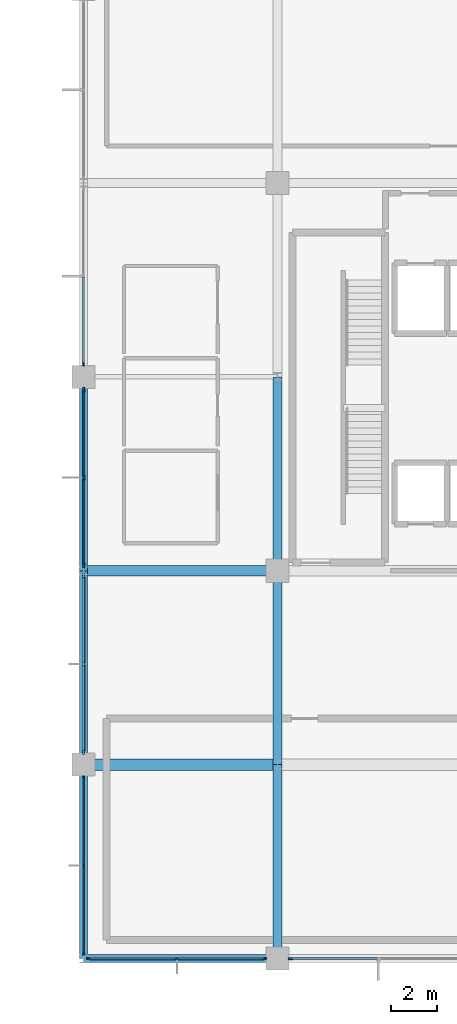
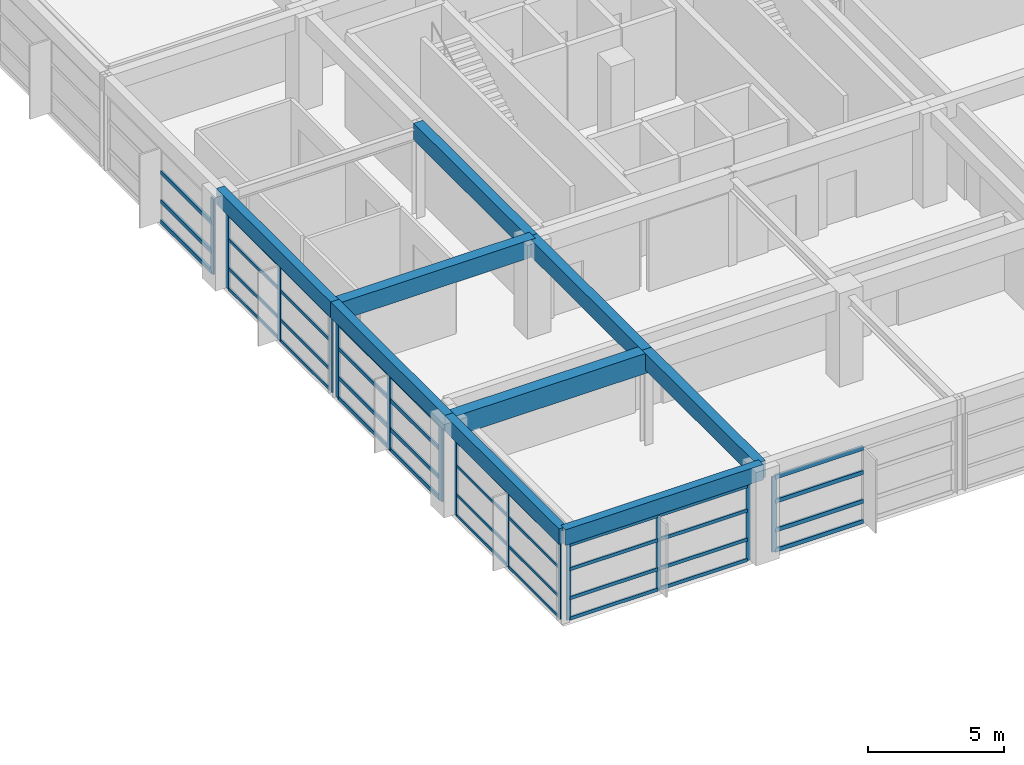
# One storey, part 18 of 32: 53 members, 9 beams, 6 elements without a shape of their own.
"""IFC4 building model written with IfcOpenShell, lengths in metres."""

from ifc_helpers import new_model, si_unit, direction, frame, origin, origin_2d, place, context, subcontext, project, spatial, rectangle, extrude, material, material_profile, profile_set, type_object, element, aggregate, save


model = new_model("IFC4")

# Units and contexts
model_context = context("Model", 3, precision=1e-05, world=origin(), true_north=direction((0.0, 1.0)))
body_context = subcontext(model_context, "Body", "Model", "MODEL_VIEW")
ifc_project = project(units=[si_unit("LENGTHUNIT", "METRE"), si_unit("AREAUNIT", "SQUARE_METRE"), si_unit("VOLUMEUNIT", "CUBIC_METRE"), si_unit("PLANEANGLEUNIT", "RADIAN"), si_unit("MASSUNIT", "GRAM", prefix="KILO")], contexts=[model_context])

# Site, building, storey
site_placement = place(None, origin())
site = spatial("IfcSite", under=ifc_project, at=site_placement, CompositionType="ELEMENT")
building_placement = place(site_placement, origin())
building = spatial("IfcBuilding", under=site, at=building_placement, Name="Xuanlan Plaza Opera House", CompositionType="ELEMENT")
storey_placement = place(building_placement, frame((0.0, 0.0, 40.5)))
storey = spatial("IfcBuildingStorey", under=building, at=storey_placement, Name="L09", CompositionType="ELEMENT", Elevation=40.5)

# Curtain wall, members
ifc_material_1 = material(Name="Anodised Aluminium 6063-T6 and Low-E Glass", Category="aluminium")
curtain_wall_type_1 = type_object("IfcCurtainWallType", Name="ENV-CW-CW-03", PredefinedType="USERDEFINED", material=ifc_material_1)
curtain_wall_1_placement = place(storey_placement, origin())
curtain_wall_1 = element("IfcCurtainWall", 1, at=curtain_wall_1_placement, inside=storey, type_object=curtain_wall_type_1, Name="Unitised Curtain Wall L09-020", ObjectType="UNITISED CURTAIN WALL", PredefinedType="USERDEFINED")
ifc_material_2 = material(Name="Anodised Aluminium 6063-T6", Category="aluminium")
ifc_material_profile_1 = material_profile(ifc_material_2, rectangle(XDim=0.06494140625, YDim=0.159912109375, at=origin_2d()), Name="ALU-M 65x160")
ifc_profile_set_1 = profile_set([ifc_material_profile_1], Name="Anodised Aluminium 6063-T6")
member_type_1 = type_object("IfcMemberType", Name="ENV-CWM-01", PredefinedType="MULLION", material=ifc_profile_set_1)
member_1_placement = place(storey_placement, frame((126.0, 41.447509765625, 0.0), z_axis=(0.0, 0.0, 1.0), x_axis=(1.0, 0.0, 0.0)))
member_1 = element("IfcMember", 2, at=member_1_placement, type_object=member_type_1, Name="CW-03 mullion 1", PredefinedType="MULLION", context=body_context, shape_type="SweptSolid", body=[
    extrude(rectangle(XDim=0.06494140625, YDim=0.159912109375, at=origin_2d()), origin(), (0.0, 0.0, 1.0), 3.3798828125),
])
member_2_placement = place(storey_placement, frame((126.0, 37.637451171875, 0.0), z_axis=(0.0, 0.0, 1.0), x_axis=(1.0, 0.0, 0.0)))
member_2 = element("IfcMember", 3, at=member_2_placement, type_object=member_type_1, Name="CW-03 mullion 2", PredefinedType="MULLION", context=body_context, shape_type="SweptSolid", body=[
    extrude(rectangle(XDim=0.06494140625, YDim=0.159912109375, at=origin_2d()), origin(), (0.0, 0.0, 1.0), 3.3798828125),
])
member_3_placement = place(storey_placement, frame((126.0, 33.827392578125, 0.0), z_axis=(0.0, 0.0, 1.0), x_axis=(1.0, 0.0, 0.0)))
member_3 = element("IfcMember", 4, at=member_3_placement, type_object=member_type_1, Name="CW-03 mullion 3", PredefinedType="MULLION", context=body_context, shape_type="SweptSolid", body=[
    extrude(rectangle(XDim=0.06494140625, YDim=0.159912109375, at=origin_2d()), origin(), (0.0, 0.0, 1.0), 3.3798828125),
])

curtain_wall_type_2 = type_object("IfcCurtainWallType", Name="ENV-CW-CW-04", PredefinedType="USERDEFINED", material=ifc_material_1)
curtain_wall_2_placement = place(storey_placement, origin())
curtain_wall_2 = element("IfcCurtainWall", 5, at=curtain_wall_2_placement, inside=storey, type_object=curtain_wall_type_2, Name="Unitised Curtain Wall L09-001", ObjectType="UNITISED CURTAIN WALL", PredefinedType="USERDEFINED")
ifc_material_profile_2 = material_profile(ifc_material_2, rectangle(XDim=0.070068359375, YDim=0.179931640625, at=origin_2d()), Name="ALU-M 70x180")
ifc_profile_set_2 = profile_set([ifc_material_profile_2], Name="Anodised Aluminium 6063-T6")
member_type_2 = type_object("IfcMemberType", Name="ENV-CWM-02", PredefinedType="MULLION", material=ifc_profile_set_2)
member_4_placement = place(storey_placement, frame((126.22998046875, 33.60009765625, 0.0), z_axis=(0.0, 0.0, 1.0), x_axis=(0.0, 1.0, 0.0)))
member_4 = element("IfcMember", 6, at=member_4_placement, type_object=member_type_2, Name="CW-04 mullion 1", PredefinedType="MULLION", context=body_context, shape_type="SweptSolid", body=[
    extrude(rectangle(XDim=0.070068359375, YDim=0.179931640625, at=origin_2d()), origin(), (0.0, 0.0, 1.0), 3.3798828125),
])
member_5_placement = place(storey_placement, frame((130.03759765625, 33.60009765625, 0.0), z_axis=(0.0, 0.0, 1.0), x_axis=(0.0, 1.0, 0.0)))
member_5 = element("IfcMember", 7, at=member_5_placement, type_object=member_type_2, Name="CW-04 mullion 2", PredefinedType="MULLION", context=body_context, shape_type="SweptSolid", body=[
    extrude(rectangle(XDim=0.070068359375, YDim=0.179931640625, at=origin_2d()), origin(), (0.0, 0.0, 1.0), 3.3798828125),
])
member_6_placement = place(storey_placement, frame((133.844970703125, 33.60009765625, 0.0), z_axis=(0.0, 0.0, 1.0), x_axis=(0.0, 1.0, 0.0)))
member_6 = element("IfcMember", 8, at=member_6_placement, type_object=member_type_2, Name="CW-04 mullion 3", PredefinedType="MULLION", context=body_context, shape_type="SweptSolid", body=[
    extrude(rectangle(XDim=0.070068359375, YDim=0.179931640625, at=origin_2d()), origin(), (0.0, 0.0, 1.0), 3.3798828125),
])

# Curtain wall, member
curtain_wall_type_3 = type_object("IfcCurtainWallType", Name="ENV-CW-CW-01", PredefinedType="USERDEFINED", material=ifc_material_1)
curtain_wall_3_placement = place(storey_placement, origin())
curtain_wall_3 = element("IfcCurtainWall", 9, at=curtain_wall_3_placement, inside=storey, type_object=curtain_wall_type_3, Name="Unitised Curtain Wall L09-002", ObjectType="UNITISED CURTAIN WALL", PredefinedType="USERDEFINED")
ifc_material_profile_3 = material_profile(ifc_material_2, rectangle(XDim=0.074951171875, YDim=0.199951171875, at=origin_2d()), Name="ALU-M 75x200")
ifc_profile_set_3 = profile_set([ifc_material_profile_3], Name="Anodised Aluminium 6063-T6")
member_type_3 = type_object("IfcMemberType", Name="ENV-CWM-03", PredefinedType="MULLION", material=ifc_profile_set_3)
member_7_placement = place(storey_placement, frame((134.95751953125, 33.60009765625, 0.0), z_axis=(0.0, 0.0, 1.0), x_axis=(0.0, 1.0, 0.0)))
member_7 = element("IfcMember", 10, at=member_7_placement, type_object=member_type_3, Name="CW-01 mullion 1", PredefinedType="MULLION", context=body_context, shape_type="SweptSolid", body=[
    extrude(rectangle(XDim=0.074951171875, YDim=0.199951171875, at=origin_2d()), origin(), (0.0, 0.0, 1.0), 3.3798828125),
])

curtain_wall_4_placement = place(storey_placement, origin())
curtain_wall_4 = element("IfcCurtainWall", 11, at=curtain_wall_4_placement, inside=storey, type_object=curtain_wall_type_2, Name="Unitised Curtain Wall L09-017", ObjectType="UNITISED CURTAIN WALL", PredefinedType="USERDEFINED")
member_8_placement = place(storey_placement, frame((126.0, 59.357421875, 0.0), z_axis=(0.0, 0.0, 1.0), x_axis=(1.0, 0.0, 0.0)))
member_8 = element("IfcMember", 12, at=member_8_placement, type_object=member_type_3, Name="CW-04 mullion 3", PredefinedType="MULLION", context=body_context, shape_type="SweptSolid", body=[
    extrude(rectangle(XDim=0.074951171875, YDim=0.199951171875, at=origin_2d()), origin(), (0.0, 0.0, 1.0), 3.3798828125),
])

# Curtain wall, members
curtain_wall_5_placement = place(storey_placement, origin())
curtain_wall_5 = element("IfcCurtainWall", 13, at=curtain_wall_5_placement, inside=storey, type_object=curtain_wall_type_3, Name="Unitised Curtain Wall L09-018", ObjectType="UNITISED CURTAIN WALL", PredefinedType="USERDEFINED")
ifc_material_profile_4 = material_profile(ifc_material_2, rectangle(XDim=0.080078125, YDim=0.219970703125, at=origin_2d()), Name="ALU-M 80x220")
ifc_profile_set_4 = profile_set([ifc_material_profile_4], Name="Anodised Aluminium 6063-T6")
member_type_4 = type_object("IfcMemberType", Name="ENV-CWM-04", PredefinedType="MULLION", material=ifc_profile_set_4)
member_9_placement = place(storey_placement, frame((126.0, 58.239990234375, 0.0), z_axis=(0.0, 0.0, 1.0), x_axis=(1.0, 0.0, 0.0)))
member_9 = element("IfcMember", 14, at=member_9_placement, type_object=member_type_4, Name="CW-01 mullion 1", PredefinedType="MULLION", context=body_context, shape_type="SweptSolid", body=[
    extrude(rectangle(XDim=0.080078125, YDim=0.219970703125, at=origin_2d()), origin(), (0.0, 0.0, 1.0), 3.3798828125),
])
member_10_placement = place(storey_placement, frame((126.0, 54.4375, 0.0), z_axis=(0.0, 0.0, 1.0), x_axis=(1.0, 0.0, 0.0)))
member_10 = element("IfcMember", 15, at=member_10_placement, type_object=member_type_4, Name="CW-01 mullion 2", PredefinedType="MULLION", context=body_context, shape_type="SweptSolid", body=[
    extrude(rectangle(XDim=0.080078125, YDim=0.219970703125, at=origin_2d()), origin(), (0.0, 0.0, 1.0), 3.3798828125),
])
member_11_placement = place(storey_placement, frame((126.0, 50.635009765625, 0.0), z_axis=(0.0, 0.0, 1.0), x_axis=(1.0, 0.0, 0.0)))
member_11 = element("IfcMember", 16, at=member_11_placement, type_object=member_type_4, Name="CW-01 mullion 3", PredefinedType="MULLION", context=body_context, shape_type="SweptSolid", body=[
    extrude(rectangle(XDim=0.080078125, YDim=0.219970703125, at=origin_2d()), origin(), (0.0, 0.0, 1.0), 3.3798828125),
])

curtain_wall_type_4 = type_object("IfcCurtainWallType", Name="ENV-CW-CW-02", PredefinedType="USERDEFINED", material=ifc_material_1)
curtain_wall_6_placement = place(storey_placement, origin())
curtain_wall_6 = element("IfcCurtainWall", 17, at=curtain_wall_6_placement, inside=storey, type_object=curtain_wall_type_4, Name="Unitised Curtain Wall L09-019", ObjectType="UNITISED CURTAIN WALL", PredefinedType="USERDEFINED")
ifc_material_profile_5 = material_profile(ifc_material_2, rectangle(XDim=0.090087890625, YDim=0.25, at=origin_2d()), Name="ALU-M 90x250")
ifc_profile_set_5 = profile_set([ifc_material_profile_5], Name="Anodised Aluminium 6063-T6")
member_type_5 = type_object("IfcMemberType", Name="ENV-CWM-05", PredefinedType="MULLION", material=ifc_profile_set_5)
member_12_placement = place(storey_placement, frame((126.0, 50.159912109375, 0.0), z_axis=(0.0, 0.0, 1.0), x_axis=(1.0, 0.0, 0.0)))
member_12 = element("IfcMember", 18, at=member_12_placement, type_object=member_type_5, Name="CW-02 mullion 1", PredefinedType="MULLION", context=body_context, shape_type="SweptSolid", body=[
    extrude(rectangle(XDim=0.090087890625, YDim=0.25, at=origin_2d()), origin(), (0.0, 0.0, 1.0), 3.3798828125),
])
member_13_placement = place(storey_placement, frame((126.0, 46.362548828125, 0.0), z_axis=(0.0, 0.0, 1.0), x_axis=(1.0, 0.0, 0.0)))
member_13 = element("IfcMember", 19, at=member_13_placement, type_object=member_type_5, Name="CW-02 mullion 2", PredefinedType="MULLION", context=body_context, shape_type="SweptSolid", body=[
    extrude(rectangle(XDim=0.090087890625, YDim=0.25, at=origin_2d()), origin(), (0.0, 0.0, 1.0), 3.3798828125),
])
member_14_placement = place(storey_placement, frame((126.0, 42.56494140625, 0.0), z_axis=(0.0, 0.0, 1.0), x_axis=(1.0, 0.0, 0.0)))
member_14 = element("IfcMember", 20, at=member_14_placement, type_object=member_type_5, Name="CW-02 mullion 3", PredefinedType="MULLION", context=body_context, shape_type="SweptSolid", body=[
    extrude(rectangle(XDim=0.090087890625, YDim=0.25, at=origin_2d()), origin(), (0.0, 0.0, 1.0), 3.3798828125),
])

# Member
ifc_material_profile_6 = material_profile(ifc_material_2, rectangle(XDim=0.06494140625, YDim=0.1201171875, at=origin_2d()), Name="ALU-T 65x120")
ifc_profile_set_6 = profile_set([ifc_material_profile_6], Name="Anodised Aluminium 6063-T6")
member_type_6 = type_object("IfcMemberType", Name="ENV-CWT-01", PredefinedType="USERDEFINED", material=ifc_profile_set_6)
member_15_placement = place(storey_placement, frame((126.0, 41.4150390625, 0.032470703125), z_axis=(0.0, -1.0, 0.0), x_axis=(1.0, 0.0, 0.0)))
member_15 = element("IfcMember", 21, at=member_15_placement, type_object=member_type_6, Name="CW-03 transom 1.1", ObjectType="TRANSOM", PredefinedType="USERDEFINED", context=body_context, shape_type="SweptSolid", body=[
    extrude(rectangle(XDim=0.06494140625, YDim=0.1201171875, at=origin_2d()), origin(), (0.0, 0.0, 1.0), 3.7451171875),
])

member_16_placement = place(storey_placement, frame((126.0, 41.4150390625, 0.949951171875), z_axis=(0.0, -1.0, 0.0), x_axis=(1.0, 0.0, 0.0)))
member_16 = element("IfcMember", 22, at=member_16_placement, type_object=member_type_6, Name="CW-03 transom 1.2", ObjectType="TRANSOM", PredefinedType="USERDEFINED", context=body_context, shape_type="SweptSolid", body=[
    extrude(rectangle(XDim=0.06494140625, YDim=0.1201171875, at=origin_2d()), origin(), (0.0, 0.0, 1.0), 3.7451171875),
])

member_17_placement = place(storey_placement, frame((126.0, 41.4150390625, 2.25), z_axis=(0.0, -1.0, 0.0), x_axis=(1.0, 0.0, 0.0)))
member_17 = element("IfcMember", 23, at=member_17_placement, type_object=member_type_6, Name="CW-03 transom 1.3", ObjectType="TRANSOM", PredefinedType="USERDEFINED", context=body_context, shape_type="SweptSolid", body=[
    extrude(rectangle(XDim=0.06494140625, YDim=0.1201171875, at=origin_2d()), origin(), (0.0, 0.0, 1.0), 3.7451171875),
])

member_18_placement = place(storey_placement, frame((126.0, 41.4150390625, 3.347412109375), z_axis=(0.0, -1.0, 0.0), x_axis=(1.0, 0.0, 0.0)))
member_18 = element("IfcMember", 24, at=member_18_placement, type_object=member_type_6, Name="CW-03 transom 1.4", ObjectType="TRANSOM", PredefinedType="USERDEFINED", context=body_context, shape_type="SweptSolid", body=[
    extrude(rectangle(XDim=0.06494140625, YDim=0.1201171875, at=origin_2d()), origin(), (0.0, 0.0, 1.0), 3.7451171875),
])

member_19_placement = place(storey_placement, frame((126.0, 37.60498046875, 0.032470703125), z_axis=(0.0, -1.0, 0.0), x_axis=(1.0, 0.0, 0.0)))
member_19 = element("IfcMember", 25, at=member_19_placement, type_object=member_type_6, Name="CW-03 transom 2.1", ObjectType="TRANSOM", PredefinedType="USERDEFINED", context=body_context, shape_type="SweptSolid", body=[
    extrude(rectangle(XDim=0.06494140625, YDim=0.1201171875, at=origin_2d()), origin(), (0.0, 0.0, 1.0), 3.744873046875),
])

member_20_placement = place(storey_placement, frame((126.0, 37.60498046875, 0.949951171875), z_axis=(0.0, -1.0, 0.0), x_axis=(1.0, 0.0, 0.0)))
member_20 = element("IfcMember", 26, at=member_20_placement, type_object=member_type_6, Name="CW-03 transom 2.2", ObjectType="TRANSOM", PredefinedType="USERDEFINED", context=body_context, shape_type="SweptSolid", body=[
    extrude(rectangle(XDim=0.06494140625, YDim=0.1201171875, at=origin_2d()), origin(), (0.0, 0.0, 1.0), 3.744873046875),
])

member_21_placement = place(storey_placement, frame((126.0, 37.60498046875, 2.25), z_axis=(0.0, -1.0, 0.0), x_axis=(1.0, 0.0, 0.0)))
member_21 = element("IfcMember", 27, at=member_21_placement, type_object=member_type_6, Name="CW-03 transom 2.3", ObjectType="TRANSOM", PredefinedType="USERDEFINED", context=body_context, shape_type="SweptSolid", body=[
    extrude(rectangle(XDim=0.06494140625, YDim=0.1201171875, at=origin_2d()), origin(), (0.0, 0.0, 1.0), 3.744873046875),
])

member_22_placement = place(storey_placement, frame((126.0, 37.60498046875, 3.347412109375), z_axis=(0.0, -1.0, 0.0), x_axis=(1.0, 0.0, 0.0)))
member_22 = element("IfcMember", 28, at=member_22_placement, type_object=member_type_6, Name="CW-03 transom 2.4", ObjectType="TRANSOM", PredefinedType="USERDEFINED", context=body_context, shape_type="SweptSolid", body=[
    extrude(rectangle(XDim=0.06494140625, YDim=0.1201171875, at=origin_2d()), origin(), (0.0, 0.0, 1.0), 3.744873046875),
])

aggregate(curtain_wall_1, [member_1, member_2, member_3, member_15, member_16, member_17, member_18, member_19, member_20, member_21, member_22])

ifc_material_profile_7 = material_profile(ifc_material_2, rectangle(XDim=0.070068359375, YDim=0.135009765625, at=origin_2d()), Name="ALU-T 70x135")
ifc_profile_set_7 = profile_set([ifc_material_profile_7], Name="Anodised Aluminium 6063-T6")
member_type_7 = type_object("IfcMemberType", Name="ENV-CWT-02", PredefinedType="USERDEFINED", material=ifc_profile_set_7)
member_23_placement = place(storey_placement, frame((126.0, 58.199951171875, 0.034912109375), z_axis=(0.0, -1.0, 0.0), x_axis=(1.0, 0.0, 0.0)))
member_23 = element("IfcMember", 29, at=member_23_placement, type_object=member_type_7, Name="CW-01 transom 1.1", ObjectType="TRANSOM", PredefinedType="USERDEFINED", context=body_context, shape_type="SweptSolid", body=[
    extrude(rectangle(XDim=0.070068359375, YDim=0.135009765625, at=origin_2d()), origin(), (0.0, 0.0, 1.0), 3.722412109375),
])

member_24_placement = place(storey_placement, frame((126.0, 58.199951171875, 0.949951171875), z_axis=(0.0, -1.0, 0.0), x_axis=(1.0, 0.0, 0.0)))
member_24 = element("IfcMember", 30, at=member_24_placement, type_object=member_type_7, Name="CW-01 transom 1.2", ObjectType="TRANSOM", PredefinedType="USERDEFINED", context=body_context, shape_type="SweptSolid", body=[
    extrude(rectangle(XDim=0.070068359375, YDim=0.135009765625, at=origin_2d()), origin(), (0.0, 0.0, 1.0), 3.722412109375),
])

member_25_placement = place(storey_placement, frame((126.0, 58.199951171875, 2.25), z_axis=(0.0, -1.0, 0.0), x_axis=(1.0, 0.0, 0.0)))
member_25 = element("IfcMember", 31, at=member_25_placement, type_object=member_type_7, Name="CW-01 transom 1.3", ObjectType="TRANSOM", PredefinedType="USERDEFINED", context=body_context, shape_type="SweptSolid", body=[
    extrude(rectangle(XDim=0.070068359375, YDim=0.135009765625, at=origin_2d()), origin(), (0.0, 0.0, 1.0), 3.722412109375),
])

member_26_placement = place(storey_placement, frame((126.0, 58.199951171875, 3.344970703125), z_axis=(0.0, -1.0, 0.0), x_axis=(1.0, 0.0, 0.0)))
member_26 = element("IfcMember", 32, at=member_26_placement, type_object=member_type_7, Name="CW-01 transom 1.4", ObjectType="TRANSOM", PredefinedType="USERDEFINED", context=body_context, shape_type="SweptSolid", body=[
    extrude(rectangle(XDim=0.070068359375, YDim=0.135009765625, at=origin_2d()), origin(), (0.0, 0.0, 1.0), 3.722412109375),
])

member_27_placement = place(storey_placement, frame((126.0, 54.3974609375, 0.034912109375), z_axis=(0.0, -1.0, 0.0), x_axis=(1.0, 0.0, 0.0)))
member_27 = element("IfcMember", 33, at=member_27_placement, type_object=member_type_7, Name="CW-01 transom 2.1", ObjectType="TRANSOM", PredefinedType="USERDEFINED", context=body_context, shape_type="SweptSolid", body=[
    extrude(rectangle(XDim=0.070068359375, YDim=0.135009765625, at=origin_2d()), origin(), (0.0, 0.0, 1.0), 3.722412109375),
])

member_28_placement = place(storey_placement, frame((126.0, 54.3974609375, 0.949951171875), z_axis=(0.0, -1.0, 0.0), x_axis=(1.0, 0.0, 0.0)))
member_28 = element("IfcMember", 34, at=member_28_placement, type_object=member_type_7, Name="CW-01 transom 2.2", ObjectType="TRANSOM", PredefinedType="USERDEFINED", context=body_context, shape_type="SweptSolid", body=[
    extrude(rectangle(XDim=0.070068359375, YDim=0.135009765625, at=origin_2d()), origin(), (0.0, 0.0, 1.0), 3.722412109375),
])

member_29_placement = place(storey_placement, frame((126.0, 54.3974609375, 2.25), z_axis=(0.0, -1.0, 0.0), x_axis=(1.0, 0.0, 0.0)))
member_29 = element("IfcMember", 35, at=member_29_placement, type_object=member_type_7, Name="CW-01 transom 2.3", ObjectType="TRANSOM", PredefinedType="USERDEFINED", context=body_context, shape_type="SweptSolid", body=[
    extrude(rectangle(XDim=0.070068359375, YDim=0.135009765625, at=origin_2d()), origin(), (0.0, 0.0, 1.0), 3.722412109375),
])

member_30_placement = place(storey_placement, frame((126.0, 54.3974609375, 3.344970703125), z_axis=(0.0, -1.0, 0.0), x_axis=(1.0, 0.0, 0.0)))
member_30 = element("IfcMember", 36, at=member_30_placement, type_object=member_type_7, Name="CW-01 transom 2.4", ObjectType="TRANSOM", PredefinedType="USERDEFINED", context=body_context, shape_type="SweptSolid", body=[
    extrude(rectangle(XDim=0.070068359375, YDim=0.135009765625, at=origin_2d()), origin(), (0.0, 0.0, 1.0), 3.722412109375),
])

aggregate(curtain_wall_5, [member_9, member_10, member_11, member_23, member_24, member_25, member_26, member_27, member_28, member_29, member_30])

ifc_material_profile_8 = material_profile(ifc_material_2, rectangle(XDim=0.074951171875, YDim=0.14990234375, at=origin_2d()), Name="ALU-T 75x150")
ifc_profile_set_8 = profile_set([ifc_material_profile_8], Name="Anodised Aluminium 6063-T6")
member_type_8 = type_object("IfcMemberType", Name="ENV-CWT-03", PredefinedType="USERDEFINED", material=ifc_profile_set_8)
member_31_placement = place(storey_placement, frame((126.264892578125, 33.60009765625, 0.03759765625), z_axis=(1.0, 0.0, 0.0), x_axis=(0.0, 1.0, 0.0)))
member_31 = element("IfcMember", 37, at=member_31_placement, type_object=member_type_8, Name="CW-04 transom 1.1", ObjectType="TRANSOM", PredefinedType="USERDEFINED", context=body_context, shape_type="SweptSolid", body=[
    extrude(rectangle(XDim=0.074951171875, YDim=0.14990234375, at=origin_2d()), origin(), (0.0, 0.0, 1.0), 3.737548828125),
])

member_32_placement = place(storey_placement, frame((126.264892578125, 33.60009765625, 0.949951171875), z_axis=(1.0, 0.0, 0.0), x_axis=(0.0, 1.0, 0.0)))
member_32 = element("IfcMember", 38, at=member_32_placement, type_object=member_type_8, Name="CW-04 transom 1.2", ObjectType="TRANSOM", PredefinedType="USERDEFINED", context=body_context, shape_type="SweptSolid", body=[
    extrude(rectangle(XDim=0.074951171875, YDim=0.14990234375, at=origin_2d()), origin(), (0.0, 0.0, 1.0), 3.737548828125),
])

member_33_placement = place(storey_placement, frame((126.264892578125, 33.60009765625, 2.25), z_axis=(1.0, 0.0, 0.0), x_axis=(0.0, 1.0, 0.0)))
member_33 = element("IfcMember", 39, at=member_33_placement, type_object=member_type_8, Name="CW-04 transom 1.3", ObjectType="TRANSOM", PredefinedType="USERDEFINED", context=body_context, shape_type="SweptSolid", body=[
    extrude(rectangle(XDim=0.074951171875, YDim=0.14990234375, at=origin_2d()), origin(), (0.0, 0.0, 1.0), 3.737548828125),
])

member_34_placement = place(storey_placement, frame((126.264892578125, 33.60009765625, 3.342529296875), z_axis=(1.0, 0.0, 0.0), x_axis=(0.0, 1.0, 0.0)))
member_34 = element("IfcMember", 40, at=member_34_placement, type_object=member_type_8, Name="CW-04 transom 1.4", ObjectType="TRANSOM", PredefinedType="USERDEFINED", context=body_context, shape_type="SweptSolid", body=[
    extrude(rectangle(XDim=0.074951171875, YDim=0.14990234375, at=origin_2d()), origin(), (0.0, 0.0, 1.0), 3.737548828125),
])

member_35_placement = place(storey_placement, frame((130.072509765625, 33.60009765625, 0.03759765625), z_axis=(1.0, 0.0, 0.0), x_axis=(0.0, 1.0, 0.0)))
member_35 = element("IfcMember", 41, at=member_35_placement, type_object=member_type_8, Name="CW-04 transom 2.1", ObjectType="TRANSOM", PredefinedType="USERDEFINED", context=body_context, shape_type="SweptSolid", body=[
    extrude(rectangle(XDim=0.074951171875, YDim=0.14990234375, at=origin_2d()), origin(), (0.0, 0.0, 1.0), 3.737548828125),
])

member_36_placement = place(storey_placement, frame((130.072509765625, 33.60009765625, 0.949951171875), z_axis=(1.0, 0.0, 0.0), x_axis=(0.0, 1.0, 0.0)))
member_36 = element("IfcMember", 42, at=member_36_placement, type_object=member_type_8, Name="CW-04 transom 2.2", ObjectType="TRANSOM", PredefinedType="USERDEFINED", context=body_context, shape_type="SweptSolid", body=[
    extrude(rectangle(XDim=0.074951171875, YDim=0.14990234375, at=origin_2d()), origin(), (0.0, 0.0, 1.0), 3.737548828125),
])

member_37_placement = place(storey_placement, frame((130.072509765625, 33.60009765625, 2.25), z_axis=(1.0, 0.0, 0.0), x_axis=(0.0, 1.0, 0.0)))
member_37 = element("IfcMember", 43, at=member_37_placement, type_object=member_type_8, Name="CW-04 transom 2.3", ObjectType="TRANSOM", PredefinedType="USERDEFINED", context=body_context, shape_type="SweptSolid", body=[
    extrude(rectangle(XDim=0.074951171875, YDim=0.14990234375, at=origin_2d()), origin(), (0.0, 0.0, 1.0), 3.737548828125),
])

member_38_placement = place(storey_placement, frame((130.072509765625, 33.60009765625, 3.342529296875), z_axis=(1.0, 0.0, 0.0), x_axis=(0.0, 1.0, 0.0)))
member_38 = element("IfcMember", 44, at=member_38_placement, type_object=member_type_8, Name="CW-04 transom 2.4", ObjectType="TRANSOM", PredefinedType="USERDEFINED", context=body_context, shape_type="SweptSolid", body=[
    extrude(rectangle(XDim=0.074951171875, YDim=0.14990234375, at=origin_2d()), origin(), (0.0, 0.0, 1.0), 3.737548828125),
])

aggregate(curtain_wall_2, [member_4, member_5, member_6, member_31, member_32, member_33, member_34, member_35, member_36, member_37, member_38])

ifc_material_profile_9 = material_profile(ifc_material_2, rectangle(XDim=0.080078125, YDim=0.1650390625, at=origin_2d()), Name="ALU-T 80x165")
ifc_profile_set_9 = profile_set([ifc_material_profile_9], Name="Anodised Aluminium 6063-T6")
member_type_9 = type_object("IfcMemberType", Name="ENV-CWT-04", PredefinedType="USERDEFINED", material=ifc_profile_set_9)
member_39_placement = place(storey_placement, frame((126.0, 50.114990234375, 0.0400390625), z_axis=(0.0, -1.0, 0.0), x_axis=(1.0, 0.0, 0.0)))
member_39 = element("IfcMember", 45, at=member_39_placement, type_object=member_type_9, Name="CW-02 transom 1.1", ObjectType="TRANSOM", PredefinedType="USERDEFINED", context=body_context, shape_type="SweptSolid", body=[
    extrude(rectangle(XDim=0.080078125, YDim=0.1650390625, at=origin_2d()), origin(), (0.0, 0.0, 1.0), 3.70751953125),
])

member_40_placement = place(storey_placement, frame((126.0, 50.114990234375, 0.949951171875), z_axis=(0.0, -1.0, 0.0), x_axis=(1.0, 0.0, 0.0)))
member_40 = element("IfcMember", 46, at=member_40_placement, type_object=member_type_9, Name="CW-02 transom 1.2", ObjectType="TRANSOM", PredefinedType="USERDEFINED", context=body_context, shape_type="SweptSolid", body=[
    extrude(rectangle(XDim=0.080078125, YDim=0.1650390625, at=origin_2d()), origin(), (0.0, 0.0, 1.0), 3.70751953125),
])

member_41_placement = place(storey_placement, frame((126.0, 50.114990234375, 2.25), z_axis=(0.0, -1.0, 0.0), x_axis=(1.0, 0.0, 0.0)))
member_41 = element("IfcMember", 47, at=member_41_placement, type_object=member_type_9, Name="CW-02 transom 1.3", ObjectType="TRANSOM", PredefinedType="USERDEFINED", context=body_context, shape_type="SweptSolid", body=[
    extrude(rectangle(XDim=0.080078125, YDim=0.1650390625, at=origin_2d()), origin(), (0.0, 0.0, 1.0), 3.70751953125),
])

member_42_placement = place(storey_placement, frame((126.0, 50.114990234375, 3.340087890625), z_axis=(0.0, -1.0, 0.0), x_axis=(1.0, 0.0, 0.0)))
member_42 = element("IfcMember", 48, at=member_42_placement, type_object=member_type_9, Name="CW-02 transom 1.4", ObjectType="TRANSOM", PredefinedType="USERDEFINED", context=body_context, shape_type="SweptSolid", body=[
    extrude(rectangle(XDim=0.080078125, YDim=0.1650390625, at=origin_2d()), origin(), (0.0, 0.0, 1.0), 3.70751953125),
])

member_43_placement = place(storey_placement, frame((126.0, 46.3173828125, 0.0400390625), z_axis=(0.0, -1.0, 0.0), x_axis=(1.0, 0.0, 0.0)))
member_43 = element("IfcMember", 49, at=member_43_placement, type_object=member_type_9, Name="CW-02 transom 2.1", ObjectType="TRANSOM", PredefinedType="USERDEFINED", context=body_context, shape_type="SweptSolid", body=[
    extrude(rectangle(XDim=0.080078125, YDim=0.1650390625, at=origin_2d()), origin(), (0.0, 0.0, 1.0), 3.707275390625),
])

member_44_placement = place(storey_placement, frame((126.0, 46.3173828125, 0.949951171875), z_axis=(0.0, -1.0, 0.0), x_axis=(1.0, 0.0, 0.0)))
member_44 = element("IfcMember", 50, at=member_44_placement, type_object=member_type_9, Name="CW-02 transom 2.2", ObjectType="TRANSOM", PredefinedType="USERDEFINED", context=body_context, shape_type="SweptSolid", body=[
    extrude(rectangle(XDim=0.080078125, YDim=0.1650390625, at=origin_2d()), origin(), (0.0, 0.0, 1.0), 3.707275390625),
])

member_45_placement = place(storey_placement, frame((126.0, 46.3173828125, 2.25), z_axis=(0.0, -1.0, 0.0), x_axis=(1.0, 0.0, 0.0)))
member_45 = element("IfcMember", 51, at=member_45_placement, type_object=member_type_9, Name="CW-02 transom 2.3", ObjectType="TRANSOM", PredefinedType="USERDEFINED", context=body_context, shape_type="SweptSolid", body=[
    extrude(rectangle(XDim=0.080078125, YDim=0.1650390625, at=origin_2d()), origin(), (0.0, 0.0, 1.0), 3.707275390625),
])

member_46_placement = place(storey_placement, frame((126.0, 46.3173828125, 3.340087890625), z_axis=(0.0, -1.0, 0.0), x_axis=(1.0, 0.0, 0.0)))
member_46 = element("IfcMember", 52, at=member_46_placement, type_object=member_type_9, Name="CW-02 transom 2.4", ObjectType="TRANSOM", PredefinedType="USERDEFINED", context=body_context, shape_type="SweptSolid", body=[
    extrude(rectangle(XDim=0.080078125, YDim=0.1650390625, at=origin_2d()), origin(), (0.0, 0.0, 1.0), 3.707275390625),
])

aggregate(curtain_wall_6, [member_12, member_13, member_14, member_39, member_40, member_41, member_42, member_43, member_44, member_45, member_46])

ifc_material_profile_10 = material_profile(ifc_material_2, rectangle(XDim=0.090087890625, YDim=0.179931640625, at=origin_2d()), Name="ALU-T 90x180")
ifc_profile_set_10 = profile_set([ifc_material_profile_10], Name="Anodised Aluminium 6063-T6")
member_type_10 = type_object("IfcMemberType", Name="ENV-CWT-05", PredefinedType="USERDEFINED", material=ifc_profile_set_10)
member_47_placement = place(storey_placement, frame((134.9951171875, 33.60009765625, 0.044921875), z_axis=(1.0, 0.0, 0.0), x_axis=(0.0, 1.0, 0.0)))
member_47 = element("IfcMember", 53, at=member_47_placement, type_object=member_type_10, Name="CW-01 transom 1.1", ObjectType="TRANSOM", PredefinedType="USERDEFINED", context=body_context, shape_type="SweptSolid", body=[
    extrude(rectangle(XDim=0.090087890625, YDim=0.179931640625, at=origin_2d()), origin(), (0.0, 0.0, 1.0), 3.72998046875),
])

member_48_placement = place(storey_placement, frame((134.9951171875, 33.60009765625, 0.949951171875), z_axis=(1.0, 0.0, 0.0), x_axis=(0.0, 1.0, 0.0)))
member_48 = element("IfcMember", 54, at=member_48_placement, type_object=member_type_10, Name="CW-01 transom 1.2", ObjectType="TRANSOM", PredefinedType="USERDEFINED", context=body_context, shape_type="SweptSolid", body=[
    extrude(rectangle(XDim=0.090087890625, YDim=0.179931640625, at=origin_2d()), origin(), (0.0, 0.0, 1.0), 3.72998046875),
])

member_49_placement = place(storey_placement, frame((134.9951171875, 33.60009765625, 2.25), z_axis=(1.0, 0.0, 0.0), x_axis=(0.0, 1.0, 0.0)))
member_49 = element("IfcMember", 55, at=member_49_placement, type_object=member_type_10, Name="CW-01 transom 1.3", ObjectType="TRANSOM", PredefinedType="USERDEFINED", context=body_context, shape_type="SweptSolid", body=[
    extrude(rectangle(XDim=0.090087890625, YDim=0.179931640625, at=origin_2d()), origin(), (0.0, 0.0, 1.0), 3.72998046875),
])

member_50_placement = place(storey_placement, frame((134.9951171875, 33.60009765625, 3.3349609375), z_axis=(1.0, 0.0, 0.0), x_axis=(0.0, 1.0, 0.0)))
member_50 = element("IfcMember", 56, at=member_50_placement, type_object=member_type_10, Name="CW-01 transom 1.4", ObjectType="TRANSOM", PredefinedType="USERDEFINED", context=body_context, shape_type="SweptSolid", body=[
    extrude(rectangle(XDim=0.090087890625, YDim=0.179931640625, at=origin_2d()), origin(), (0.0, 0.0, 1.0), 3.72998046875),
])

aggregate(curtain_wall_3, [member_7, member_47, member_48, member_49, member_50])

member_51_placement = place(storey_placement, frame((126.0, 63.125, 0.044921875), z_axis=(0.0, -1.0, 0.0), x_axis=(1.0, 0.0, 0.0)))
member_51 = element("IfcMember", 57, at=member_51_placement, type_object=member_type_10, Name="CW-04 transom 2.1", ObjectType="TRANSOM", PredefinedType="USERDEFINED", context=body_context, shape_type="SweptSolid", body=[
    extrude(rectangle(XDim=0.090087890625, YDim=0.179931640625, at=origin_2d()), origin(), (0.0, 0.0, 1.0), 3.72998046875),
])

member_52_placement = place(storey_placement, frame((126.0, 63.125, 0.949951171875), z_axis=(0.0, -1.0, 0.0), x_axis=(1.0, 0.0, 0.0)))
member_52 = element("IfcMember", 58, at=member_52_placement, type_object=member_type_10, Name="CW-04 transom 2.2", ObjectType="TRANSOM", PredefinedType="USERDEFINED", context=body_context, shape_type="SweptSolid", body=[
    extrude(rectangle(XDim=0.090087890625, YDim=0.179931640625, at=origin_2d()), origin(), (0.0, 0.0, 1.0), 3.72998046875),
])

member_53_placement = place(storey_placement, frame((126.0, 63.125, 2.25), z_axis=(0.0, -1.0, 0.0), x_axis=(1.0, 0.0, 0.0)))
member_53 = element("IfcMember", 59, at=member_53_placement, type_object=member_type_10, Name="CW-04 transom 2.3", ObjectType="TRANSOM", PredefinedType="USERDEFINED", context=body_context, shape_type="SweptSolid", body=[
    extrude(rectangle(XDim=0.090087890625, YDim=0.179931640625, at=origin_2d()), origin(), (0.0, 0.0, 1.0), 3.72998046875),
])

aggregate(curtain_wall_4, [member_8, member_51, member_52, member_53])

# Beams
ifc_material_3 = material(Name="Concrete C40", Category="concrete")
ifc_material_profile_11 = material_profile(ifc_material_3, rectangle(XDim=0.5, YDim=0.89990234375, at=origin_2d()), Name="RC-BM 500x900")
ifc_profile_set_11 = profile_set([ifc_material_profile_11], Name="Concrete C40")
beam_type_1 = type_object("IfcBeamType", Name="STR-BM-B-03", PredefinedType="BEAM", material=ifc_profile_set_11)
beam_1_placement = place(storey_placement, frame((126.0, 42.0, 3.75), z_axis=(1.0, 0.0, 0.0), x_axis=(0.0, 1.0, 0.0)))
element("IfcBeam", 60, at=beam_1_placement, inside=storey, type_object=beam_type_1, Name="Grid Beam X L09 16-17/F", PredefinedType="BEAM", context=body_context, shape_type="SweptSolid", body=[
    extrude(rectangle(XDim=0.5, YDim=0.89990234375, at=origin_2d()), origin(), (0.0, 0.0, 1.0), 8.39990234375),
])
ifc_material_profile_12 = material_profile(ifc_material_3, rectangle(XDim=0.449951171875, YDim=0.800048828125, at=origin_2d()), Name="RC-BM 450x800")
ifc_profile_set_12 = profile_set([ifc_material_profile_12], Name="Concrete C40")
beam_type_2 = type_object("IfcBeamType", Name="STR-BM-B-05", PredefinedType="BEAM", material=ifc_profile_set_12)
beam_2_placement = place(storey_placement, frame((126.0, 50.39990234375, 3.800048828125), z_axis=(1.0, 0.0, 0.0), x_axis=(0.0, 1.0, 0.0)))
element("IfcBeam", 61, at=beam_2_placement, inside=storey, type_object=beam_type_2, Name="Grid Beam X L09 16-17/G", PredefinedType="BEAM", context=body_context, shape_type="SweptSolid", body=[
    extrude(rectangle(XDim=0.449951171875, YDim=0.800048828125, at=origin_2d()), origin(), (0.0, 0.0, 1.0), 8.39990234375),
])
ifc_material_profile_13 = material_profile(ifc_material_3, rectangle(XDim=0.39990234375, YDim=0.75, at=origin_2d()), Name="RC-BM 400x750")
ifc_profile_set_13 = profile_set([ifc_material_profile_13], Name="Concrete C40")
beam_type_3 = type_object("IfcBeamType", Name="STR-BM-B-06", PredefinedType="BEAM", material=ifc_profile_set_13)
for number, where, z_axis, x_axis, name in (
    (62, (134.39990234375, 33.60009765625, 3.824951171875), (0.0, 1.0, 0.0), (-1.0, 0.0, 0.0), "Grid Beam Y L09 17/E-F"),
    (63, (134.39990234375, 42.0, 3.824951171875), (0.0, 1.0, 0.0), (-1.0, 0.0, 0.0), "Grid Beam Y L09 17/F-G"),
):
    element("IfcBeam", number, at=place(storey_placement, frame(where, z_axis=z_axis, x_axis=x_axis)), inside=storey, type_object=beam_type_3, Name=name, PredefinedType="BEAM", context=body_context, shape_type="SweptSolid", body=[
        extrude(rectangle(XDim=0.39990234375, YDim=0.75, at=origin_2d()), origin(), (0.0, 0.0, 1.0), 8.39990234375),
    ])
beam_3_placement = place(storey_placement, frame((134.39990234375, 50.39990234375, 3.824951171875), z_axis=(0.0, 1.0, 0.0), x_axis=(-1.0, 0.0, 0.0)))
element("IfcBeam", 64, at=beam_3_placement, inside=storey, type_object=beam_type_3, Name="Grid Beam Y L09 17/G-H", PredefinedType="BEAM", context=body_context, shape_type="SweptSolid", body=[
    extrude(rectangle(XDim=0.39990234375, YDim=0.75, at=origin_2d()), origin(), (0.0, 0.0, 1.0), 8.400146484375),
])
ifc_material_profile_14 = material_profile(ifc_material_3, rectangle(XDim=0.35009765625, YDim=0.699951171875, at=origin_2d()), Name="RC-SPD 350x700")
ifc_profile_set_14 = profile_set([ifc_material_profile_14], Name="Concrete C40")
beam_type_4 = type_object("IfcBeamType", Name="STR-BM-SP-02", PredefinedType="SPANDREL", material=ifc_profile_set_14)
for number, where, z_axis, x_axis, name in (
    (65, (126.0, 33.60009765625, 3.85009765625), (1.0, 0.0, 0.0), (0.0, 1.0, 0.0), "Grid Beam X L09 16-17/E"),
    (66, (126.0, 33.60009765625, 3.85009765625), (0.0, 1.0, 0.0), (-1.0, 0.0, 0.0), "Grid Beam Y L09 16/E-F"),
    (67, (126.0, 42.0, 3.85009765625), (0.0, 1.0, 0.0), (-1.0, 0.0, 0.0), "Grid Beam Y L09 16/F-G"),
):
    element("IfcBeam", number, at=place(storey_placement, frame(where, z_axis=z_axis, x_axis=x_axis)), inside=storey, type_object=beam_type_4, Name=name, PredefinedType="SPANDREL", context=body_context, shape_type="SweptSolid", body=[
        extrude(rectangle(XDim=0.35009765625, YDim=0.699951171875, at=origin_2d()), origin(), (0.0, 0.0, 1.0), 8.39990234375),
    ])
beam_4_placement = place(storey_placement, frame((126.0, 50.39990234375, 3.85009765625), z_axis=(0.0, 1.0, 0.0), x_axis=(-1.0, 0.0, 0.0)))
element("IfcBeam", 68, at=beam_4_placement, inside=storey, type_object=beam_type_4, Name="Grid Beam Y L09 16/G-H", PredefinedType="SPANDREL", context=body_context, shape_type="SweptSolid", body=[
    extrude(rectangle(XDim=0.35009765625, YDim=0.699951171875, at=origin_2d()), origin(), (0.0, 0.0, 1.0), 8.400146484375),
])

save(model, "model.ifc")
